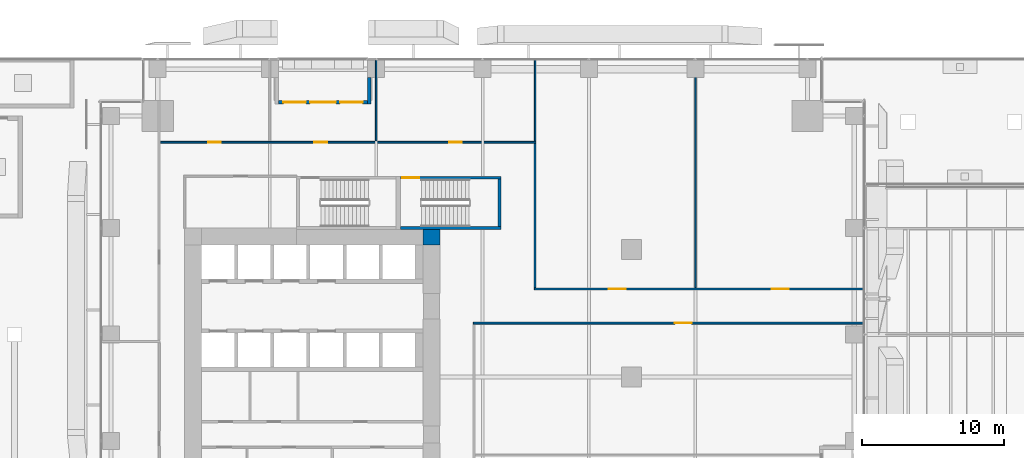
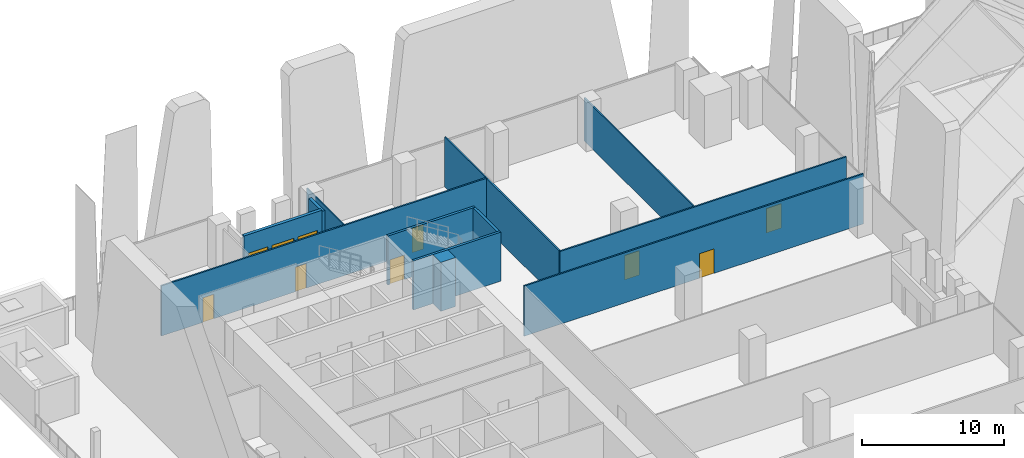
# One storey, part 38 of 46: 13 walls, 8 doors, 2 windows, 10 openings.
"""IFC4 building model written with IfcOpenShell, lengths in metres."""

from ifc_helpers import new_model, si_unit, direction, frame, frame_2d, origin, place, context, subcontext, project, spatial, rectangle, extrude, source, transform, mapped, material, layer, layer_set, type_object, element, fill, save


model = new_model("IFC4")

# Units and contexts
model_context = context("Model", 3, precision=1e-05, world=origin(), true_north=direction((0.0, 1.0)))
body_context = subcontext(model_context, "Body", "Model", "MODEL_VIEW")
ifc_project = project(units=[si_unit("LENGTHUNIT", "METRE"), si_unit("AREAUNIT", "SQUARE_METRE"), si_unit("VOLUMEUNIT", "CUBIC_METRE"), si_unit("PLANEANGLEUNIT", "RADIAN"), si_unit("MASSUNIT", "GRAM", prefix="KILO")], contexts=[model_context])

# Site, building, storey
site_placement = place(None, origin())
site = spatial("IfcSite", under=ifc_project, at=site_placement, CompositionType="ELEMENT")
building_placement = place(site_placement, origin())
building = spatial("IfcBuilding", under=site, at=building_placement, Name="Khomas Fold Tower", CompositionType="ELEMENT")
storey_placement = place(building_placement, frame((0.0, 0.0, 33.0)))
storey = spatial("IfcBuildingStorey", under=building, at=storey_placement, Name="L06", CompositionType="ELEMENT", Elevation=33.0)

# Wall
ifc_material_1 = material(Name="Concrete C70/85", Category="concrete")
ifc_layer_1 = layer(ifc_material_1, 1.10009765625)
ifc_layer_set_1 = layer_set([ifc_layer_1], Name="Concrete C70/85")
wall_type_1 = type_object("IfcWallType", Name="Core corner wall 1100", PredefinedType="SHEAR", material=ifc_layer_set_1)
shared_shape_1 = source(origin(), body_context, "Body", "SweptSolid", [
    extrude(rectangle(XDim=1.199951171875, YDim=1.10009765625, at=frame_2d((0.60009765625, 0.0))), origin(), (0.0, 0.0, 1.0), 4.199951171875),
])
wall_1_placement = place(storey_placement, frame((22.800048828125, 41.35009765625, 0.0), z_axis=(0.0, 0.0, 1.0), x_axis=(1.0, 0.0, 0.0)))
element("IfcWall", 1, at=wall_1_placement, inside=storey, type_object=wall_type_1, Name="Core wall CW-L-NE-B2", PredefinedType="SHEAR", context=body_context, shape_type="MappedRepresentation", body=[
    mapped(shared_shape_1, transform((0.0, 0.0, 0.0))),
])

# Wall, opening, door
ifc_material_2 = material(Name="Concrete C50/60", Category="concrete")
ifc_layer_2 = layer(ifc_material_2, 0.199951171875)
ifc_layer_set_2 = layer_set([ifc_layer_2], Name="Concrete C50/60")
wall_type_2 = type_object("IfcWallType", Name="Stair wall 200", PredefinedType="SHEAR", material=ifc_layer_set_2)
shared_shape_2 = source(origin(), body_context, "Body", "SweptSolid", [
    extrude(rectangle(XDim=7.10009765625, YDim=0.199951171875, at=frame_2d((3.550048828125, 0.0))), origin(), (0.0, 0.0, 1.0), 4.199951171875),
])
wall_2_placement = place(storey_placement, frame((21.199951171875, 45.550048828125, 0.0), z_axis=(0.0, 0.0, 1.0), x_axis=(1.0, 0.0, 0.0)))
wall_2 = element("IfcWall", 2, at=wall_2_placement, inside=storey, type_object=wall_type_2, Name="Stair wall SW-ST3-N", PredefinedType="SHEAR", context=body_context, shape_type="MappedRepresentation", body=[
    mapped(shared_shape_2, transform((0.0, 0.0, 0.0))),
])
shared_shape_3 = source(origin(), body_context, "Body", "SweptSolid", [
    extrude(rectangle(XDim=1.199951171875, YDim=2.10009765625, at=frame_2d((0.60009765625, 1.050048828125))), frame((0.0, 0.10986328125, 0.0), z_axis=(0.0, -1.0, 0.0), x_axis=(1.0, 0.0, 0.0)), (0.0, 0.0, 1.0), 0.219970703125),
])
opening_1_placement = place(wall_2_placement, frame((0.14990234375, 0.0, 0.0)))
opening_1 = element("IfcOpeningElement", 3, at=opening_1_placement, cuts=wall_2, Name="Opening SD-ST3", PredefinedType="OPENING", context=body_context, shape_type="MappedRepresentation", body=[
    mapped(shared_shape_3, transform((0.0, 0.0, 0.0))),
])
ifc_material_3 = material(Name="Steel door leaf", Category="steel")
door_type_1 = type_object("IfcDoorType", Name="Stair door 1200x2100 left-hand", OperationType="SINGLE_SWING_LEFT", PredefinedType="DOOR", material=ifc_material_3)
shared_shape_4 = source(origin(), body_context, "Body", "SweptSolid", [
    extrude(rectangle(XDim=1.199951171875, YDim=2.10009765625, at=frame_2d((0.60009765625, 1.050048828125))), frame((0.0, 0.02490234375, 0.0), z_axis=(0.0, -1.0, 0.0), x_axis=(1.0, 0.0, 0.0)), (0.0, 0.0, 1.0), 0.050048828125),
])
door_1_placement = place(opening_1_placement, origin())
door_1 = element("IfcDoor", 4, at=door_1_placement, inside=storey, type_object=door_type_1, Name="Stair door", OperationType="SINGLE_SWING_LEFT", OverallHeight=2.10009765625, OverallWidth=1.199951171875, PredefinedType="DOOR", context=body_context, shape_type="MappedRepresentation", body=[
    mapped(shared_shape_4, transform((0.0, 0.0, 0.0))),
])
fill(opening_1, door_1)

# Walls
wall_3_placement = place(storey_placement, frame((21.199951171875, 42.0, 0.0), z_axis=(0.0, 0.0, 1.0), x_axis=(1.0, 0.0, 0.0)))
element("IfcWall", 5, at=wall_3_placement, inside=storey, type_object=wall_type_2, Name="Stair wall SW-ST3-S", PredefinedType="SHEAR", context=body_context, shape_type="MappedRepresentation", body=[
    mapped(shared_shape_2, transform((0.0, 0.0, 0.0))),
])
shared_shape_5 = source(origin(), body_context, "Body", "SweptSolid", [
    extrude(rectangle(XDim=3.349853515625, YDim=0.199951171875, at=frame_2d((1.6748046875, 0.0))), origin(), (0.0, 0.0, 1.0), 4.199951171875),
])
wall_4_placement = place(storey_placement, frame((28.199951171875, 42.10009765625, 0.0), z_axis=(0.0, 0.0, 1.0), x_axis=(0.0, 1.0, 0.0)))
element("IfcWall", 6, at=wall_4_placement, inside=storey, type_object=wall_type_2, Name="Stair wall SW-ST3-E", PredefinedType="SHEAR", context=body_context, shape_type="MappedRepresentation", body=[
    mapped(shared_shape_5, transform((0.0, 0.0, 0.0))),
])

# Wall, openings, windows, door
ifc_material_4 = material(Name="Natural stone", Category="masonry")
ifc_layer_3 = layer(ifc_material_4, 0.0400390625)
ifc_material_5 = material(Name="Mineral wool insulation", Category="insulation")
ifc_layer_4 = layer(ifc_material_5, 0.10009765625)
ifc_material_6 = material(Name="Masonry", Category="masonry")
ifc_layer_5 = layer(ifc_material_6, 0.110107421875)
ifc_layer_set_3 = layer_set([ifc_layer_3, ifc_layer_4, ifc_layer_5], Name="Stone-faced insulated masonry")
wall_type_3 = type_object("IfcWallType", Name="BL-Balcony wall", PredefinedType="SOLIDWALL", material=ifc_layer_set_3)
shared_shape_6 = source(origin(), body_context, "Body", "SweptSolid", [
    extrude(rectangle(XDim=6.2998046875, YDim=0.25, at=frame_2d((3.14990234375, 0.0))), origin(), (0.0, 0.0, 1.0), 4.0),
])
wall_5_placement = place(storey_placement, frame((12.60009765625, 50.875, 0.0), z_axis=(0.0, 0.0, 1.0), x_axis=(1.0, 0.0, 0.0)))
wall_5 = element("IfcWall", 7, at=wall_5_placement, inside=storey, type_object=wall_type_3, Name="Balcony wall BAL-L06-N1", PredefinedType="SOLIDWALL", context=body_context, shape_type="MappedRepresentation", body=[
    mapped(shared_shape_6, transform((0.0, 0.0, 0.0))),
])
shared_shape_7 = source(origin(), body_context, "Body", "SweptSolid", [
    extrude(rectangle(XDim=1.60009765625, YDim=2.39990234375, at=frame_2d((0.800048828125, 1.199951171875))), frame((0.0, 0.135009765625, 0.0), z_axis=(0.0, -1.0, 0.0), x_axis=(1.0, 0.0, 0.0)), (0.0, 0.0, 1.0), 0.27001953125),
])
opening_2_placement = place(wall_5_placement, frame((0.35009765625, 0.0, 0.0)))
opening_2 = element("IfcOpeningElement", 8, at=opening_2_placement, cuts=wall_5, Name="Opening BL-W1", PredefinedType="OPENING", context=body_context, shape_type="MappedRepresentation", body=[
    mapped(shared_shape_7, transform((0.0, 0.0, 0.0))),
])
opening_3_placement = place(wall_5_placement, frame((4.35009765625, 0.0, 0.0)))
opening_3 = element("IfcOpeningElement", 9, at=opening_3_placement, cuts=wall_5, Name="Opening BL-W1", PredefinedType="OPENING", context=body_context, shape_type="MappedRepresentation", body=[
    mapped(shared_shape_7, transform((0.0, 0.0, 0.0))),
])
shared_shape_8 = source(origin(), body_context, "Body", "SweptSolid", [
    extrude(rectangle(XDim=1.800048828125, YDim=2.39990234375, at=frame_2d((0.89990234375, 1.199951171875))), frame((0.0, 0.135009765625, 0.0), z_axis=(0.0, -1.0, 0.0), x_axis=(1.0, 0.0, 0.0)), (0.0, 0.0, 1.0), 0.27001953125),
])
opening_4_placement = place(wall_5_placement, frame((2.25, 0.0, 0.0)))
opening_4 = element("IfcOpeningElement", 10, at=opening_4_placement, cuts=wall_5, Name="Opening BD061", PredefinedType="OPENING", context=body_context, shape_type="MappedRepresentation", body=[
    mapped(shared_shape_8, transform((0.0, 0.0, 0.0))),
])
ifc_material_7 = material(Name="Aluminium framed double glazing", Category="aluminium")
window_type = type_object("IfcWindowType", Name="BL-Fixed glazing 1600 x 2400", PartitioningType="SINGLE_PANEL", PredefinedType="WINDOW", material=ifc_material_7)
shared_shape_9 = source(origin(), body_context, "Body", "SweptSolid", [
    extrude(rectangle(XDim=1.60009765625, YDim=2.39990234375, at=frame_2d((0.800048828125, 1.199951171875))), frame((0.0, 0.030029296875, 0.0), z_axis=(0.0, -1.0, 0.0), x_axis=(1.0, 0.0, 0.0)), (0.0, 0.0, 1.0), 0.06005859375),
])
window_1_placement = place(opening_2_placement, origin())
window_1 = element("IfcWindow", 11, at=window_1_placement, inside=storey, type_object=window_type, Name="Balcony glazing BAL-L06-N1-1", OverallHeight=2.39990234375, OverallWidth=1.60009765625, PartitioningType="SINGLE_PANEL", PredefinedType="WINDOW", context=body_context, shape_type="MappedRepresentation", body=[
    mapped(shared_shape_9, transform((0.0, 0.0, 0.0))),
])
fill(opening_2, window_1)
window_2_placement = place(opening_3_placement, origin())
window_2 = element("IfcWindow", 12, at=window_2_placement, inside=storey, type_object=window_type, Name="Balcony glazing BAL-L06-N1-2", OverallHeight=2.39990234375, OverallWidth=1.60009765625, PartitioningType="SINGLE_PANEL", PredefinedType="WINDOW", context=body_context, shape_type="MappedRepresentation", body=[
    mapped(shared_shape_9, transform((0.0, 0.0, 0.0))),
])
fill(opening_3, window_2)
ifc_material_8 = material(Name="Aluminium framed double glazing", Category="aluminium")
door_type_2 = type_object("IfcDoorType", Name="BL-Glazed balcony door 1800 x 2400", OperationType="DOUBLE_DOOR_DOUBLE_SWING", PredefinedType="DOOR", material=ifc_material_8)
shared_shape_10 = source(origin(), body_context, "Body", "SweptSolid", [
    extrude(rectangle(XDim=1.800048828125, YDim=2.39990234375, at=frame_2d((0.89990234375, 1.199951171875))), frame((0.0, 0.02490234375, 0.0), z_axis=(0.0, -1.0, 0.0), x_axis=(1.0, 0.0, 0.0)), (0.0, 0.0, 1.0), 0.050048828125),
])
door_2_placement = place(opening_4_placement, origin())
door_2 = element("IfcDoor", 13, at=door_2_placement, inside=storey, type_object=door_type_2, Name="Balcony door BD061", OperationType="DOUBLE_DOOR_DOUBLE_SWING", OverallHeight=2.39990234375, OverallWidth=1.800048828125, PredefinedType="DOOR", context=body_context, shape_type="MappedRepresentation", body=[
    mapped(shared_shape_10, transform((0.0, 0.0, 0.0))),
])
fill(opening_4, door_2)

# Wall
shared_shape_11 = source(origin(), body_context, "Body", "SweptSolid", [
    extrude(rectangle(XDim=1.85009765625, YDim=0.25, at=frame_2d((0.925048828125, 0.0))), origin(), (0.0, 0.0, 1.0), 3.89990234375),
])
wall_6_placement = place(storey_placement, frame((19.02490234375, 52.60009765625, 0.0), z_axis=(0.0, 0.0, 1.0), x_axis=(0.0, -1.0, 0.0)))
element("IfcWall", 14, at=wall_6_placement, inside=storey, type_object=wall_type_3, Name="Balcony return wall BAL-L06-N1-hi", PredefinedType="SOLIDWALL", context=body_context, shape_type="MappedRepresentation", body=[
    mapped(shared_shape_11, transform((0.0, 0.0, 0.0))),
])

# Wall, opening, door
ifc_material_9 = material(Name="Plasterboard partition")
ifc_layer_6 = layer(ifc_material_9, 0.125)
ifc_layer_set_4 = layer_set([ifc_layer_6], Name="Plasterboard partition")
wall_type_4 = type_object("IfcWallType", Name="Partition PW2 125", PredefinedType="PARTITIONING", material=ifc_layer_set_4)
shared_shape_12 = source(origin(), body_context, "Body", "SweptSolid", [
    extrude(rectangle(XDim=27.5, YDim=0.125, at=frame_2d((13.75, 0.0))), origin(), (0.0, 0.0, 1.0), 4.300048828125),
])
wall_7_placement = place(storey_placement, frame((26.35009765625, 35.300048828125, 0.0), z_axis=(0.0, 0.0, 1.0), x_axis=(1.0, 0.0, 0.0)))
wall_7 = element("IfcWall", 15, at=wall_7_placement, inside=storey, type_object=wall_type_4, Name="Partition", PredefinedType="PARTITIONING", context=body_context, shape_type="MappedRepresentation", body=[
    mapped(shared_shape_12, transform((0.0, 0.0, 0.0))),
])
shared_shape_13 = source(origin(), body_context, "Body", "SweptSolid", [
    extrude(rectangle(XDim=1.199951171875, YDim=2.10009765625, at=frame_2d((0.60009765625, 1.050048828125))), frame((0.0, 0.072509765625, 0.0), z_axis=(0.0, -1.0, 0.0), x_axis=(1.0, 0.0, 0.0)), (0.0, 0.0, 1.0), 0.14501953125),
])
opening_5_placement = place(wall_7_placement, frame((14.199951171875, 0.0, 0.0)))
opening_5 = element("IfcOpeningElement", 16, at=opening_5_placement, cuts=wall_7, Name="Opening 0001", PredefinedType="OPENING", context=body_context, shape_type="MappedRepresentation", body=[
    mapped(shared_shape_13, transform((0.0, 0.0, 0.0))),
])
ifc_material_10 = material(Name="Timber door leaf", Category="wood")
door_type_3 = type_object("IfcDoorType", Name="Door 1200x2100 right-hand", OperationType="SINGLE_SWING_RIGHT", PredefinedType="DOOR", material=ifc_material_10)
door_3_placement = place(opening_5_placement, origin())
door_3 = element("IfcDoor", 17, at=door_3_placement, inside=storey, type_object=door_type_3, Name="Door", OperationType="SINGLE_SWING_RIGHT", OverallHeight=2.10009765625, OverallWidth=1.199951171875, PredefinedType="DOOR", context=body_context, shape_type="MappedRepresentation", body=[
    mapped(shared_shape_4, transform((0.0, 0.0, 0.0))),
])
fill(opening_5, door_3)

# Wall, openings, doors
shared_shape_14 = source(origin(), body_context, "Body", "SweptSolid", [
    extrude(rectangle(XDim=23.2001953125, YDim=0.125, at=frame_2d((11.60009765625, 0.0))), origin(), (0.0, 0.0, 1.0), 4.300048828125),
])
wall_8_placement = place(storey_placement, frame((30.64990234375, 37.699951171875, 0.0), z_axis=(0.0, 0.0, 1.0), x_axis=(1.0, 0.0, 0.0)))
wall_8 = element("IfcWall", 18, at=wall_8_placement, inside=storey, type_object=wall_type_4, Name="Partition", PredefinedType="PARTITIONING", context=body_context, shape_type="MappedRepresentation", body=[
    mapped(shared_shape_14, transform((0.0, 0.0, 0.0))),
])
opening_6_placement = place(wall_8_placement, frame((5.25, 0.0, 0.0)))
opening_6 = element("IfcOpeningElement", 19, at=opening_6_placement, cuts=wall_8, Name="Opening 0013", PredefinedType="OPENING", context=body_context, shape_type="MappedRepresentation", body=[
    mapped(shared_shape_13, transform((0.0, 0.0, 0.0))),
])
opening_7_placement = place(wall_8_placement, frame((16.75, 0.0, 0.0)))
opening_7 = element("IfcOpeningElement", 20, at=opening_7_placement, cuts=wall_8, Name="Opening 0013", PredefinedType="OPENING", context=body_context, shape_type="MappedRepresentation", body=[
    mapped(shared_shape_13, transform((0.0, 0.0, 0.0))),
])
ifc_material_11 = material(Name="Timber door leaf", Category="wood")
door_type_4 = type_object("IfcDoorType", Name="Door 1200x2100 left-hand", OperationType="SINGLE_SWING_LEFT", PredefinedType="DOOR", material=ifc_material_11)
door_4_placement = place(opening_6_placement, origin())
door_4 = element("IfcDoor", 21, at=door_4_placement, inside=storey, type_object=door_type_4, Name="Door", OperationType="SINGLE_SWING_LEFT", OverallHeight=2.10009765625, OverallWidth=1.199951171875, PredefinedType="DOOR", context=body_context, shape_type="MappedRepresentation", body=[
    mapped(shared_shape_4, transform((0.0, 0.0, 0.0))),
])
fill(opening_6, door_4)
door_5_placement = place(opening_7_placement, origin())
door_5 = element("IfcDoor", 22, at=door_5_placement, inside=storey, type_object=door_type_4, Name="Door", OperationType="SINGLE_SWING_LEFT", OverallHeight=2.10009765625, OverallWidth=1.199951171875, PredefinedType="DOOR", context=body_context, shape_type="MappedRepresentation", body=[
    mapped(shared_shape_4, transform((0.0, 0.0, 0.0))),
])
fill(opening_7, door_5)

# Walls
shared_shape_15 = source(origin(), body_context, "Body", "SweptSolid", [
    extrude(rectangle(XDim=10.14990234375, YDim=0.125, at=frame_2d((5.074951171875, 0.0))), origin(), (0.0, 0.0, 1.0), 4.300048828125),
])
wall_9_placement = place(storey_placement, frame((30.699951171875, 37.800048828125, 0.0), z_axis=(0.0, 0.0, 1.0), x_axis=(0.0, 1.0, 0.0)))
element("IfcWall", 23, at=wall_9_placement, inside=storey, type_object=wall_type_4, Name="Partition", PredefinedType="PARTITIONING", context=body_context, shape_type="MappedRepresentation", body=[
    mapped(shared_shape_15, transform((0.0, 0.0, 0.0))),
])
ifc_material_12 = material(Name="Plasterboard partition")
ifc_layer_7 = layer(ifc_material_12, 0.10009765625)
ifc_layer_set_5 = layer_set([ifc_layer_7], Name="Plasterboard partition")
wall_type_5 = type_object("IfcWallType", Name="Partition PW1 100", PredefinedType="PARTITIONING", material=ifc_layer_set_5)
shared_shape_16 = source(origin(), body_context, "Body", "SweptSolid", [
    extrude(rectangle(XDim=16.050048828125, YDim=0.10009765625, at=frame_2d((8.02490234375, 0.0))), origin(), (0.0, 0.0, 1.0), 3.699951171875),
])
wall_10_placement = place(storey_placement, frame((42.0, 37.800048828125, 0.0), z_axis=(0.0, 0.0, 1.0), x_axis=(0.0, 1.0, 0.0)))
element("IfcWall", 24, at=wall_10_placement, inside=storey, type_object=wall_type_5, Name="Partition", PredefinedType="PARTITIONING", context=body_context, shape_type="MappedRepresentation", body=[
    mapped(shared_shape_16, transform((0.0, 0.0, 0.0))),
])

# Wall, openings, doors
shared_shape_17 = source(origin(), body_context, "Body", "SweptSolid", [
    extrude(rectangle(XDim=26.449951171875, YDim=0.125, at=frame_2d((13.22509765625, 0.0))), origin(), (0.0, 0.0, 1.0), 4.300048828125),
])
wall_11_placement = place(storey_placement, frame((4.300048828125, 48.050048828125, 0.0), z_axis=(0.0, 0.0, 1.0), x_axis=(1.0, 0.0, 0.0)))
wall_11 = element("IfcWall", 25, at=wall_11_placement, inside=storey, type_object=wall_type_4, Name="Partition", PredefinedType="PARTITIONING", context=body_context, shape_type="MappedRepresentation", body=[
    mapped(shared_shape_17, transform((0.0, 0.0, 0.0))),
])
shared_shape_18 = source(origin(), body_context, "Body", "SweptSolid", [
    extrude(rectangle(XDim=0.89990234375, YDim=2.10009765625, at=frame_2d((0.449951171875, 1.050048828125))), frame((0.0, 0.072509765625, 0.0), z_axis=(0.0, -1.0, 0.0), x_axis=(1.0, 0.0, 0.0)), (0.0, 0.0, 1.0), 0.14501953125),
])
opening_8_placement = place(wall_11_placement, frame((3.35009765625, 0.0, 0.0)))
opening_8 = element("IfcOpeningElement", 26, at=opening_8_placement, cuts=wall_11, Name="Opening 0008", PredefinedType="OPENING", context=body_context, shape_type="MappedRepresentation", body=[
    mapped(shared_shape_18, transform((0.0, 0.0, 0.0))),
])
opening_9_placement = place(wall_11_placement, frame((10.85009765625, 0.0, 0.0)))
opening_9 = element("IfcOpeningElement", 27, at=opening_9_placement, cuts=wall_11, Name="Opening 0008", PredefinedType="OPENING", context=body_context, shape_type="MappedRepresentation", body=[
    mapped(shared_shape_18, transform((0.0, 0.0, 0.0))),
])
opening_10_placement = place(wall_11_placement, frame((20.35009765625, 0.0, 0.0)))
opening_10 = element("IfcOpeningElement", 28, at=opening_10_placement, cuts=wall_11, Name="Opening 0008", PredefinedType="OPENING", context=body_context, shape_type="MappedRepresentation", body=[
    mapped(shared_shape_18, transform((0.0, 0.0, 0.0))),
])
ifc_material_13 = material(Name="Timber door leaf", Category="wood")
door_type_5 = type_object("IfcDoorType", Name="Door 900x2100 right-hand", OperationType="SINGLE_SWING_RIGHT", PredefinedType="DOOR", material=ifc_material_13)
shared_shape_19 = source(origin(), body_context, "Body", "SweptSolid", [
    extrude(rectangle(XDim=0.89990234375, YDim=2.10009765625, at=frame_2d((0.449951171875, 1.050048828125))), frame((0.0, 0.02490234375, 0.0), z_axis=(0.0, -1.0, 0.0), x_axis=(1.0, 0.0, 0.0)), (0.0, 0.0, 1.0), 0.050048828125),
])
door_6_placement = place(opening_8_placement, origin())
door_6 = element("IfcDoor", 29, at=door_6_placement, inside=storey, type_object=door_type_5, Name="Door", OperationType="SINGLE_SWING_RIGHT", OverallHeight=2.10009765625, OverallWidth=0.89990234375, PredefinedType="DOOR", context=body_context, shape_type="MappedRepresentation", body=[
    mapped(shared_shape_19, transform((0.0, 0.0, 0.0))),
])
fill(opening_8, door_6)
door_7_placement = place(opening_9_placement, origin())
door_7 = element("IfcDoor", 30, at=door_7_placement, inside=storey, type_object=door_type_5, Name="Door", OperationType="SINGLE_SWING_RIGHT", OverallHeight=2.10009765625, OverallWidth=0.89990234375, PredefinedType="DOOR", context=body_context, shape_type="MappedRepresentation", body=[
    mapped(shared_shape_19, transform((0.0, 0.0, 0.0))),
])
fill(opening_9, door_7)
door_8_placement = place(opening_10_placement, origin())
door_8 = element("IfcDoor", 31, at=door_8_placement, inside=storey, type_object=door_type_5, Name="Door", OperationType="SINGLE_SWING_RIGHT", OverallHeight=2.10009765625, OverallWidth=0.89990234375, PredefinedType="DOOR", context=body_context, shape_type="MappedRepresentation", body=[
    mapped(shared_shape_19, transform((0.0, 0.0, 0.0))),
])
fill(opening_10, door_8)

# Walls
shared_shape_20 = source(origin(), body_context, "Body", "SweptSolid", [
    extrude(rectangle(XDim=5.7001953125, YDim=0.10009765625, at=frame_2d((2.85009765625, 0.0))), origin(), (0.0, 0.0, 1.0), 3.840087890625),
])
wall_12_placement = place(storey_placement, frame((19.5, 48.14990234375, 0.0), z_axis=(0.0, 0.0, 1.0), x_axis=(0.0, 1.0, 0.0)))
element("IfcWall", 32, at=wall_12_placement, inside=storey, type_object=wall_type_5, Name="Partition", PredefinedType="PARTITIONING", context=body_context, shape_type="MappedRepresentation", body=[
    mapped(shared_shape_20, transform((0.0, 0.0, 0.0))),
])
shared_shape_21 = source(origin(), body_context, "Body", "SweptSolid", [
    extrude(rectangle(XDim=5.7001953125, YDim=0.10009765625, at=frame_2d((2.85009765625, 0.0))), origin(), (0.0, 0.0, 1.0), 4.300048828125),
])
wall_13_placement = place(storey_placement, frame((30.699951171875, 48.14990234375, 0.0), z_axis=(0.0, 0.0, 1.0), x_axis=(0.0, 1.0, 0.0)))
element("IfcWall", 33, at=wall_13_placement, inside=storey, type_object=wall_type_5, Name="Partition", PredefinedType="PARTITIONING", context=body_context, shape_type="MappedRepresentation", body=[
    mapped(shared_shape_21, transform((0.0, 0.0, 0.0))),
])

save(model, "model.ifc")
